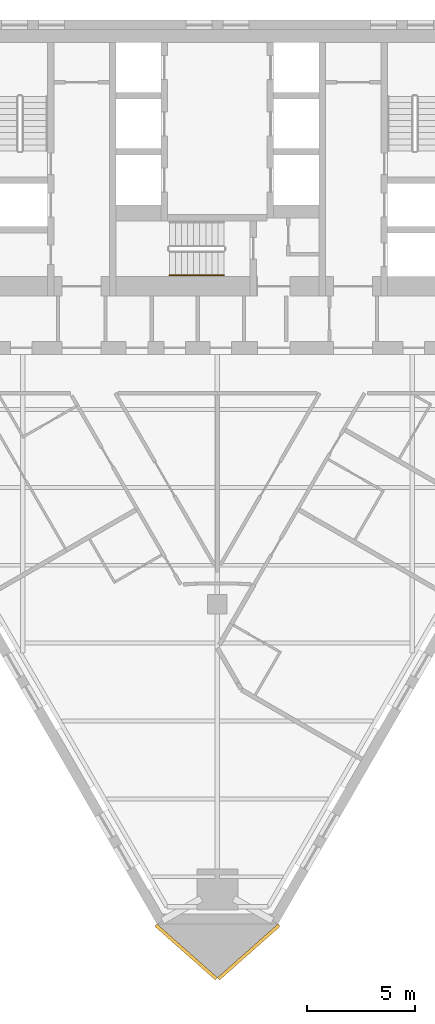
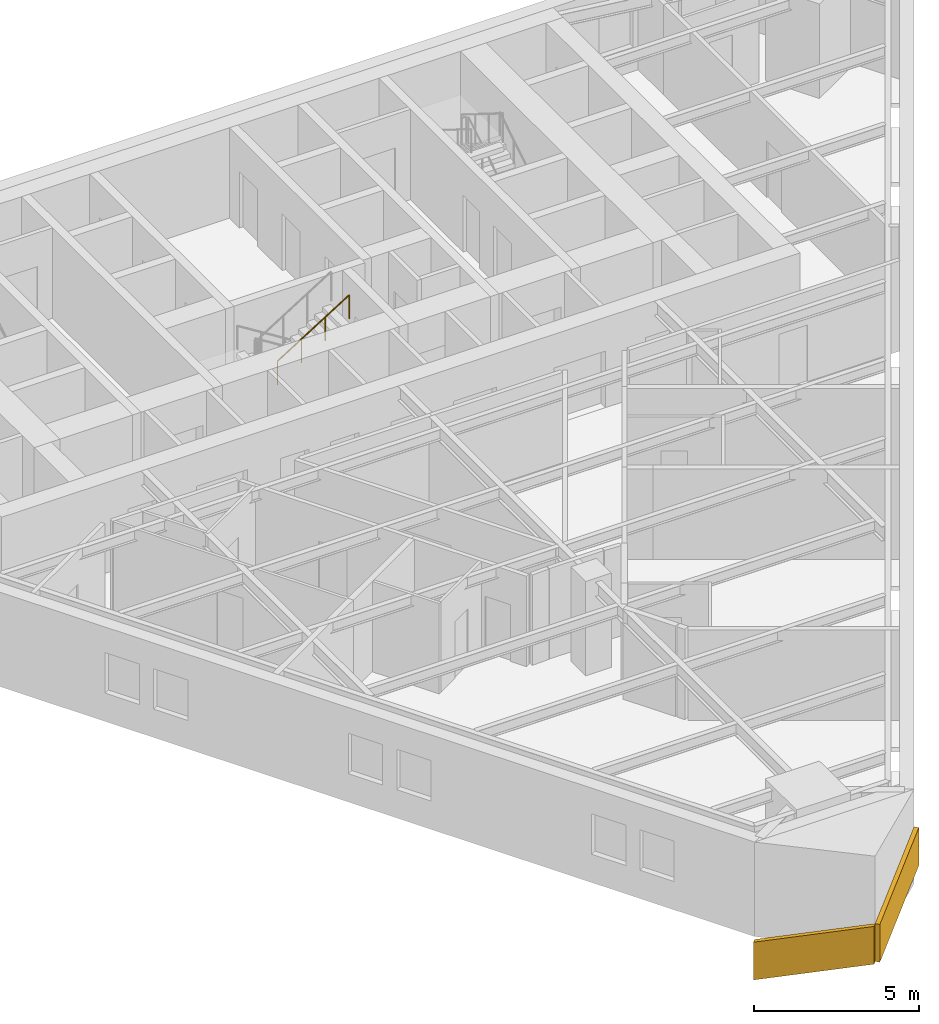
# One storey, part 8 of 9: 2 coverings, 1 railing.
"""IFC4 building model written with IfcOpenShell, lengths in metres."""

from ifc_helpers import new_model, si_unit, direction, frame, origin, origin_2d, place, context, subcontext, project, spatial, polyline, circle, outline, extrude, material, layer, layer_set, type_object, element, save


model = new_model("IFC4")

# Units and contexts
model_context = context("Model", 3, precision=1e-05, world=origin(), true_north=direction((0.0, 1.0)))
body_context = subcontext(model_context, "Body", "Model", "MODEL_VIEW")
ifc_project = project(units=[si_unit("LENGTHUNIT", "METRE"), si_unit("AREAUNIT", "SQUARE_METRE"), si_unit("VOLUMEUNIT", "CUBIC_METRE"), si_unit("PLANEANGLEUNIT", "RADIAN"), si_unit("MASSUNIT", "GRAM", prefix="KILO")], contexts=[model_context])

# Site, building, storey
site_placement = place(None, origin())
site = spatial("IfcSite", under=ifc_project, at=site_placement, CompositionType="ELEMENT")
building_placement = place(site_placement, origin())
building = spatial("IfcBuilding", under=site, at=building_placement, Name="Aloe Facet Convention Tower", CompositionType="ELEMENT")
storey_placement = place(building_placement, frame((0.0, 0.0, 106.300048828125)))
storey = spatial("IfcBuildingStorey", under=building, at=storey_placement, Name="L26", CompositionType="ELEMENT", Elevation=106.300048828125)

# Railing
ifc_material_1 = material(Name="Steel S355 handrail", Category="steel")
railing_type = type_object("IfcRailingType", Name="CR-RL-HAND", PredefinedType="HANDRAIL", material=ifc_material_1)
railing_placement = place(storey_placement, frame((77.780029296875, 123.199951171875, 1.925048828125)))
element("IfcRailing", 1, at=railing_placement, inside=storey, type_object=railing_type, Name="L26 ST3 stair handrail 2", PredefinedType="HANDRAIL", context=body_context, shape_type="SweptSolid", body=[
    extrude(circle(Radius=0.02392578125, at=origin_2d()), frame((0.0, 0.0, 0.8759765625), z_axis=(0.848007534815, 0.0, 0.529984170421), x_axis=(0.0, 1.0, 0.0)), (0.0, 0.0, 1.0), 2.9716796875),
    extrude(circle(Radius=0.02099609375, at=origin_2d()), origin(), (0.0, 0.0, 1.0), 0.851806640625),
    extrude(circle(Radius=0.02099609375, at=origin_2d()), frame((0.840087890625, 0.0, 0.52490234375)), (0.0, 0.0, 1.0), 0.851806640625),
    extrude(circle(Radius=0.02099609375, at=origin_2d()), frame((1.679931640625, 0.0, 1.050048828125)), (0.0, 0.0, 1.0), 0.851806640625),
    extrude(circle(Radius=0.02099609375, at=origin_2d()), frame((2.52001953125, 0.0, 1.574951171875)), (0.0, 0.0, 1.0), 0.851806640625),
])

# Coverings
ifc_material_2 = material(Name="Bronze oxide fascia sheet")
ifc_layer = layer(ifc_material_2, 0.14990234375)
ifc_layer_set = layer_set([ifc_layer], Name="EV-FASCIA-TERR")
covering_type = type_object("IfcCoveringType", Name="EV-FASCIA-TERR", PredefinedType="CLADDING", material=ifc_layer_set)
covering_1_placement = place(storey_placement, frame((77.1005859375, 93.10791015625, -1.66015625), z_axis=(-0.662952674585, -0.748661306106, 0.0), x_axis=(0.717713703983, -0.635548031882, 0.284544791352)))
element("IfcCovering", 2, at=covering_1_placement, inside=storey, type_object=covering_type, Name="Spiral ribbon zone 2 part 7 over the corner spine", PredefinedType="CLADDING", context=body_context, shape_type="SweptSolid", body=[
    extrude(outline(polyline([(0.0, 0.0), (3.901345080335714, 2.220446049250313e-16), (4.299680000650775, 1.3420342258282156), (0.3984043892582622, 1.342268274350334), (0.0, 0.0)])), origin(), (0.0, 0.0, -1.0), 0.14990234375),
])
covering_2_placement = place(storey_placement, frame((80.099365234375, 90.62841796875, -0.550048828125), z_axis=(0.662952674585, -0.748661306106, 0.0), x_axis=(0.717713703983, 0.635548031882, 0.284544791352)))
element("IfcCovering", 3, at=covering_2_placement, inside=storey, type_object=covering_type, Name="Spiral ribbon zone 2 part 8 over the corner spine", PredefinedType="CLADDING", context=body_context, shape_type="SweptSolid", body=[
    extrude(outline(polyline([(0.0, 0.0), (3.901345080335714, 0.0), (4.299680000650775, 1.3420342258282154), (0.3983349203150611, 1.3420342258282152), (0.0, 0.0)])), origin(), (0.0, 0.0, -1.0), 0.14990234375),
])

save(model, "model.ifc")
